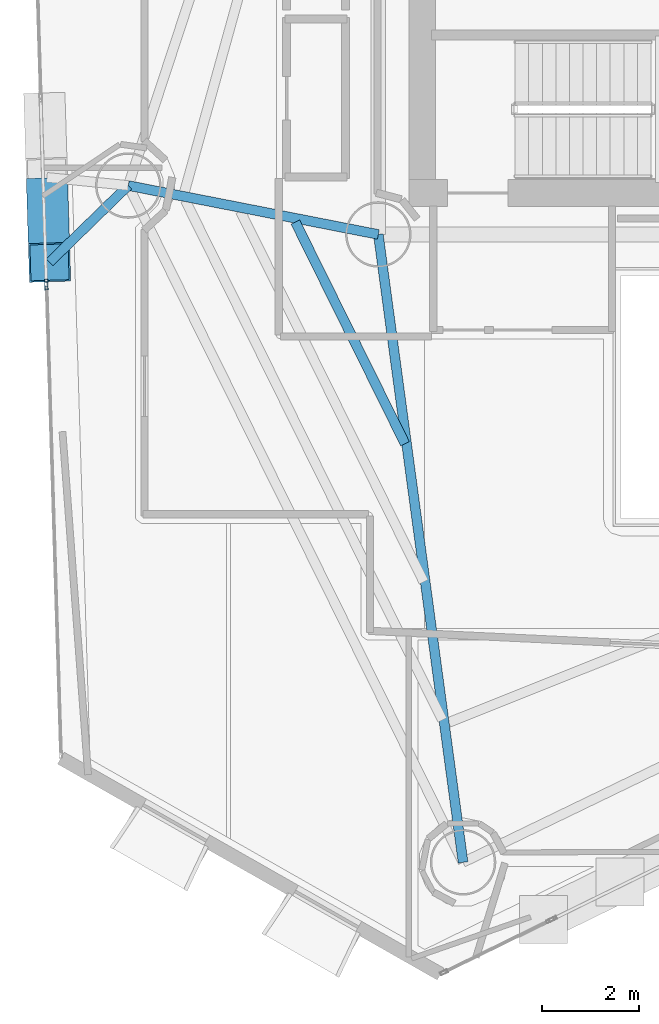
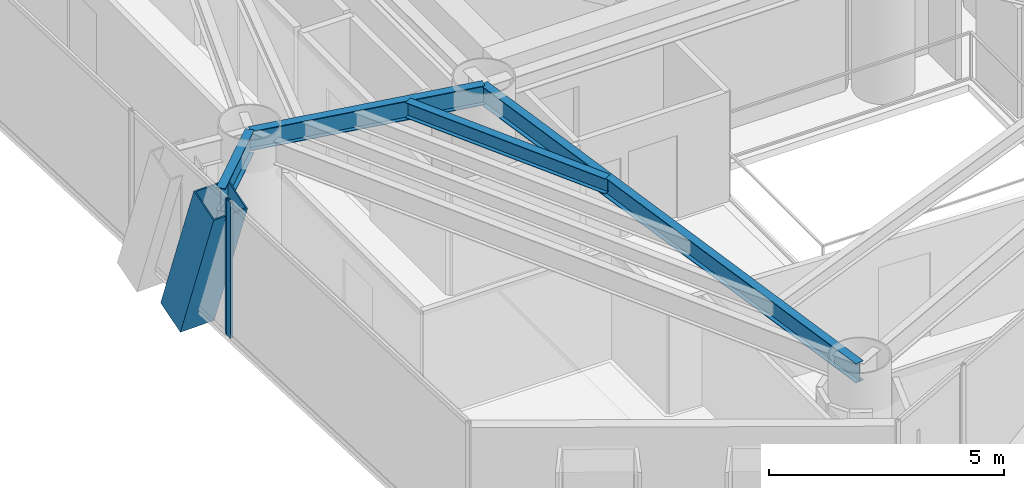
# One storey, part 4 of 22: 4 beams, 3 members, 2 elements without a shape of their own.
"""IFC4 building model written with IfcOpenShell, lengths in metres."""

from ifc_helpers import new_model, si_unit, direction, frame, origin, origin_2d, place, context, subcontext, project, spatial, hollow_rectangle, i_section, extrude, material, layer, layer_set, material_profile, profile_set, type_object, element, aggregate, save


model = new_model("IFC4")

# Units and contexts
model_context = context("Model", 3, precision=1e-05, world=origin(), true_north=direction((0.0, 1.0)))
body_context = subcontext(model_context, "Body", "Model", "MODEL_VIEW")
ifc_project = project(units=[si_unit("LENGTHUNIT", "METRE"), si_unit("AREAUNIT", "SQUARE_METRE"), si_unit("VOLUMEUNIT", "CUBIC_METRE"), si_unit("PLANEANGLEUNIT", "RADIAN"), si_unit("MASSUNIT", "GRAM", prefix="KILO")], contexts=[model_context])

# Site, building, storey
site_placement = place(None, origin())
site = spatial("IfcSite", under=ifc_project, at=site_placement, CompositionType="ELEMENT")
building_placement = place(site_placement, origin())
building = spatial("IfcBuilding", under=site, at=building_placement, Name="Qianvela Tower", CompositionType="ELEMENT")
storey_placement = place(building_placement, frame((0.0, 0.0, 155.0)))
storey = spatial("IfcBuildingStorey", under=building, at=storey_placement, Name="L39", CompositionType="ELEMENT", Elevation=155.0)

# Beams
ifc_material_1 = material(Name="Steel Q355B", Category="steel")
ifc_material_profile_1 = material_profile(ifc_material_1, i_section(OverallWidth=0.199951171875, OverallDepth=0.39990234375, WebThickness=0.008056640625, FlangeThickness=0.012939453125, at=origin_2d()), Name="HN400x200x8x13")
ifc_profile_set_1 = profile_set([ifc_material_profile_1], Name="Steel Q355B")
beam_type_1 = type_object("IfcBeamType", Name="BM-HN400-JOIST", PredefinedType="JOIST", material=ifc_profile_set_1)
beam_1_placement = place(storey_placement, frame((26.89013671875, 24.10693359375, 3.318115234375), z_axis=(0.443417880161, -0.896315002415, 0.0), x_axis=(0.896315002415, 0.443417880161, 0.0)))
element("IfcBeam", 1, at=beam_1_placement, inside=storey, type_object=beam_type_1, Name="L39 Secondary Composite Floor Joist 4.1", PredefinedType="JOIST", context=body_context, shape_type="SweptSolid", body=[
    extrude(i_section(OverallWidth=0.199951171875, OverallDepth=0.39990234375, WebThickness=0.008056640625, FlangeThickness=0.012939453125, at=origin_2d()), origin(), (0.0, 0.0, 1.0), 5.099609375),
])
ifc_material_2 = material(Name="Steel Q355B", Category="steel")
ifc_material_profile_2 = material_profile(ifc_material_2, i_section(OverallWidth=0.199951171875, OverallDepth=0.5, WebThickness=0.010009765625, FlangeThickness=0.01611328125, at=origin_2d()), Name="HN500x200x10x16")
ifc_profile_set_2 = profile_set([ifc_material_profile_2], Name="Steel Q355B")
beam_type_2 = type_object("IfcBeamType", Name="BM-HN500-GIRD", PredefinedType="BEAM", material=ifc_profile_set_2)
beam_2_placement = place(storey_placement, frame((28.60009765625, 23.85009765625, 3.26806640625), z_axis=(-0.98137875074, 0.192082658238, 0.0), x_axis=(-0.192082658238, -0.98137875074, 0.0)))
element("IfcBeam", 2, at=beam_2_placement, inside=storey, type_object=beam_type_2, Name="L39 Radial Primary Floor Girder 4", PredefinedType="BEAM", context=body_context, shape_type="SweptSolid", body=[
    extrude(i_section(OverallWidth=0.199951171875, OverallDepth=0.5, WebThickness=0.010009765625, FlangeThickness=0.01611328125, at=origin_2d()), origin(), (0.0, 0.0, 1.0), 5.251953125),
])
beam_3_placement = place(storey_placement, frame((28.60009765625, 23.85009765625, 3.26806640625), z_axis=(0.133769024854, -0.991012536747, 0.0), x_axis=(0.991012536747, 0.133769024854, 0.0)))
element("IfcBeam", 3, at=beam_3_placement, inside=storey, type_object=beam_type_2, Name="L39 Radial Primary Floor Girder 5", PredefinedType="BEAM", context=body_context, shape_type="SweptSolid", body=[
    extrude(i_section(OverallWidth=0.199951171875, OverallDepth=0.5, WebThickness=0.010009765625, FlangeThickness=0.01611328125, at=origin_2d()), origin(), (0.0, 0.0, 1.0), 13.05859375),
])
ifc_material_3 = material(Name="Steel Q355B", Category="steel")
ifc_material_profile_3 = material_profile(ifc_material_3, i_section(OverallWidth=0.199951171875, OverallDepth=0.60009765625, WebThickness=0.010986328125, FlangeThickness=0.01708984375, at=origin_2d()), Name="HN600x200x11x17")
ifc_profile_set_3 = profile_set([ifc_material_profile_3], Name="Steel Q355B")
beam_type_3 = type_object("IfcBeamType", Name="BM-HN600-GIRD", PredefinedType="BEAM", material=ifc_profile_set_3)
beam_4_placement = place(storey_placement, frame((23.446044921875, 24.85888671875, 3.218017578125), z_axis=(-0.715986685403, -0.698113935061, 0.0), x_axis=(0.698113935061, -0.715986685403, 0.0)))
element("IfcBeam", 4, at=beam_4_placement, inside=storey, type_object=beam_type_3, Name="L39 Mega-Brace Column Tie Bracket F2-2", PredefinedType="BEAM", context=body_context, shape_type="SweptSolid", body=[
    extrude(i_section(OverallWidth=0.199951171875, OverallDepth=0.60009765625, WebThickness=0.010986328125, FlangeThickness=0.01708984375, at=origin_2d()), origin(), (0.0, 0.0, 1.0), 2.267578125),
])

# Curtain wall, member
ifc_material_4 = material(Name="Anodised Architectural Aluminium and Insulated Spandrel Panel", Category="aluminium")
ifc_layer_1 = layer(ifc_material_4, 0.179931640625)
ifc_layer_set_1 = layer_set([ifc_layer_1], Name="Anodised Architectural Aluminium and Insulated Spandrel Panel")
curtain_wall_type_1 = type_object("IfcCurtainWallType", Name="CW-BRACEBAY", PredefinedType="USERDEFINED", material=ifc_layer_set_1)
curtain_wall_1_placement = place(storey_placement, origin())
curtain_wall_1 = element("IfcCurtainWall", 5, at=curtain_wall_1_placement, inside=storey, type_object=curtain_wall_type_1, Name="L39 CW-BRACEBAY Curtain Wall 04B", ObjectType="CURTAIN_WALL_SYSTEM", PredefinedType="USERDEFINED")
ifc_material_5 = material(Name="Anodised Architectural Aluminium 6063-T6", Category="aluminium")
ifc_material_profile_4 = material_profile(ifc_material_5, hollow_rectangle(XDim=0.06494140625, YDim=0.159912109375, WallThickness=0.0048828125, at=origin_2d()), Name="ALU-MULL-65x160")
ifc_profile_set_4 = profile_set([ifc_material_profile_4], Name="Anodised Architectural Aluminium 6063-T6")
member_type_1 = type_object("IfcMemberType", Name="CW-BRACEBAY-MULL", PredefinedType="MULLION", material=ifc_profile_set_4)
member_1_placement = place(storey_placement, frame((21.755615234375, 22.85107421875, 0.0), z_axis=(0.0, 0.0, 1.0), x_axis=(0.999528753166, 0.030696442709, 0.0)))
member_1 = element("IfcMember", 6, at=member_1_placement, type_object=member_type_1, Name="CW-9 mullion 2", PredefinedType="MULLION", context=body_context, shape_type="SweptSolid", body=[
    extrude(hollow_rectangle(XDim=0.06494140625, YDim=0.159912109375, WallThickness=0.0048828125, at=origin_2d()), origin(), (0.0, 0.0, 1.0), 3.52001953125),
])
aggregate(curtain_wall_1, [member_1])

ifc_material_6 = material(Name="Anodised Architectural Aluminium and Low-E Glass", Category="aluminium")
ifc_layer_2 = layer(ifc_material_6, 0.169921875)
ifc_layer_set_2 = layer_set([ifc_layer_2], Name="Anodised Architectural Aluminium and Low-E Glass")
curtain_wall_type_2 = type_object("IfcCurtainWallType", Name="CW-COLIV-Z34", PredefinedType="USERDEFINED", material=ifc_layer_set_2)
curtain_wall_2_placement = place(storey_placement, origin())
curtain_wall_2 = element("IfcCurtainWall", 7, at=curtain_wall_2_placement, inside=storey, type_object=curtain_wall_type_2, Name="L39 CW-COLIV-Z34 Curtain Wall 04C", ObjectType="CURTAIN_WALL_SYSTEM", PredefinedType="USERDEFINED")
ifc_material_7 = material(Name="Anodised Architectural Aluminium 6063-T6", Category="aluminium")
ifc_material_profile_5 = material_profile(ifc_material_7, hollow_rectangle(XDim=0.06494140625, YDim=0.159912109375, WallThickness=0.0048828125, at=origin_2d()), Name="ALU-MULL-65x160")
ifc_profile_set_5 = profile_set([ifc_material_profile_5], Name="Anodised Architectural Aluminium 6063-T6")
member_type_2 = type_object("IfcMemberType", Name="CW-COLIV-Z34-MULL", PredefinedType="MULLION", material=ifc_profile_set_5)
member_2_placement = place(storey_placement, frame((21.757568359375, 22.7861328125, 0.0), z_axis=(0.0, 0.0, 1.0), x_axis=(0.999528047794, 0.030719402241, 0.0)))
member_2 = element("IfcMember", 8, at=member_2_placement, type_object=member_type_2, Name="CW-4 mullion 1", PredefinedType="MULLION", context=body_context, shape_type="SweptSolid", body=[
    extrude(hollow_rectangle(XDim=0.06494140625, YDim=0.159912109375, WallThickness=0.0048828125, at=origin_2d()), origin(), (0.0, 0.0, 1.0), 3.52001953125),
])
aggregate(curtain_wall_2, [member_2])

# Member
ifc_material_8 = material(Name="Steel Q420GJC", Category="steel")
ifc_material_profile_6 = material_profile(ifc_material_8, hollow_rectangle(XDim=0.85009765625, YDim=0.85009765625, WallThickness=0.031982421875, at=origin_2d()), Name="MBOX-850x850x32")
ifc_profile_set_6 = profile_set([ifc_material_profile_6], Name="Steel Q420GJC")
member_type_3 = type_object("IfcMemberType", Name="MBR-MBRACE-850", PredefinedType="BRACE", material=ifc_profile_set_6)
member_3_placement = place(storey_placement, frame((21.78125, 24.616943359375, -0.48193359375), z_axis=(0.010483442629, -0.340742901549, 0.94009806535), x_axis=(0.999527049128, 0.030751878992, 0.0)))
element("IfcMember", 9, at=member_3_placement, inside=storey, type_object=member_type_3, Name="L39 Tier 6 Exterior Mega-Brace F2B", PredefinedType="BRACE", context=body_context, shape_type="SweptSolid", body=[
    extrude(hollow_rectangle(XDim=0.85009765625, YDim=0.85009765625, WallThickness=0.031982421875, at=origin_2d()), origin(), (0.0, 0.0, 1.0), 3.935791015625),
])

save(model, "model.ifc")
